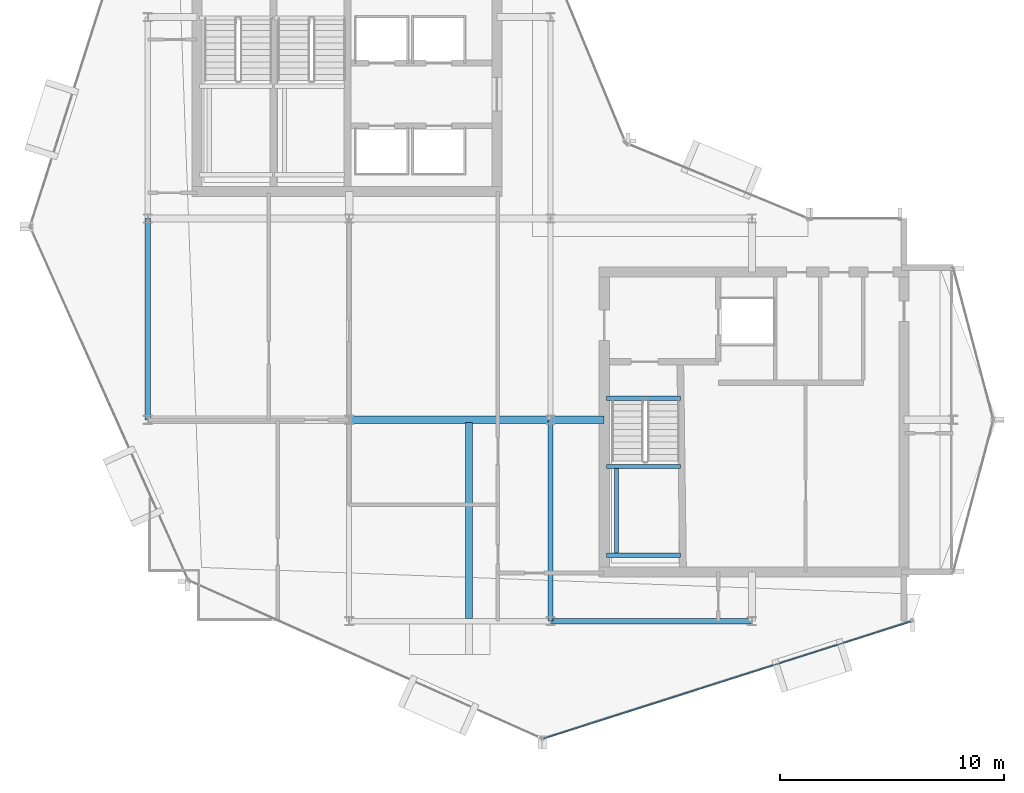
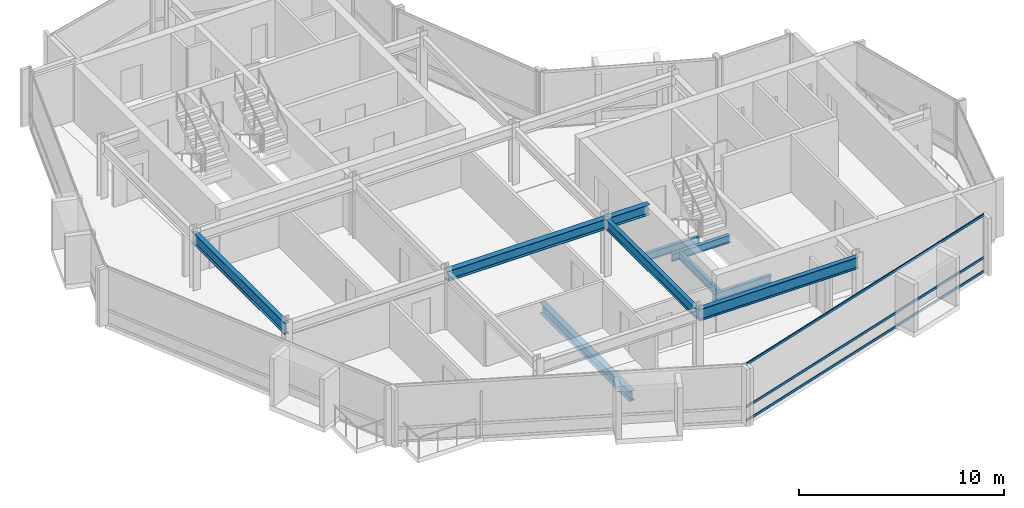
# One storey, part 5 of 19: 10 beams, 3 members, 1 element without a shape of its own.
"""IFC4 building model written with IfcOpenShell, lengths in metres."""

from ifc_helpers import new_model, si_unit, direction, frame, origin, origin_2d, place, context, subcontext, project, spatial, hollow_rectangle, i_section, extrude, material, layer, layer_set, material_profile, profile_set, type_object, element, aggregate, save


model = new_model("IFC4")

# Units and contexts
model_context = context("Model", 3, precision=1e-05, world=origin(), true_north=direction((0.0, 1.0)))
body_context = subcontext(model_context, "Body", "Model", "MODEL_VIEW")
ifc_project = project(units=[si_unit("LENGTHUNIT", "METRE"), si_unit("AREAUNIT", "SQUARE_METRE"), si_unit("VOLUMEUNIT", "CUBIC_METRE"), si_unit("PLANEANGLEUNIT", "RADIAN"), si_unit("MASSUNIT", "GRAM", prefix="KILO")], contexts=[model_context])

# Site, building, storey
site_placement = place(None, origin())
site = spatial("IfcSite", under=ifc_project, at=site_placement, CompositionType="ELEMENT")
building_placement = place(site_placement, origin())
building = spatial("IfcBuilding", under=site, at=building_placement, Name="Solvaryn Broadcast Tower", CompositionType="ELEMENT")
storey_placement = place(building_placement, frame((0.0, 0.0, 251.89990234375)))
storey = spatial("IfcBuildingStorey", under=building, at=storey_placement, Name="L63", CompositionType="ELEMENT", Elevation=251.89990234375)

# Beams
ifc_material_1 = material(Name="Steel ASTM A992 Grade 50", Category="steel")
ifc_material_profile_1 = material_profile(ifc_material_1, i_section(OverallWidth=0.323974609375, OverallDepth=0.611083984375, WebThickness=0.0126953125, FlangeThickness=0.01904296875, FilletRadius=0.014892578125, at=origin_2d()))
ifc_profile_set_1 = profile_set([ifc_material_profile_1], Name="Steel ASTM A992 Grade 50")
beam_type_1 = type_object("IfcBeamType", Name="BM-B1-W24X104", PredefinedType="BEAM", material=ifc_profile_set_1)
beam_1_placement = place(storey_placement, frame((23.35009765625, 17.875, -0.58544921875), z_axis=(0.0, -1.0, 0.0), x_axis=(1.0, 0.0, 0.0)))
element("IfcBeam", 1, at=beam_1_placement, inside=storey, type_object=beam_type_1, Name="L63 Bay-Box Back-Span Beam 1", PredefinedType="BEAM", context=body_context, shape_type="SweptSolid", body=[
    extrude(i_section(OverallWidth=0.323974609375, OverallDepth=0.611083984375, WebThickness=0.0126953125, FlangeThickness=0.01904296875, FilletRadius=0.014892578125, at=origin_2d()), origin(), (0.0, 0.0, 1.0), 8.75),
])
beam_2_placement = place(storey_placement, frame((18.0, 18.0, 3.114501953125), z_axis=(1.0, 0.0, 0.0), x_axis=(0.0, 1.0, 0.0)))
element("IfcBeam", 2, at=beam_2_placement, inside=storey, type_object=beam_type_1, Name="L63 Primary Beam X (18-27 @ Y=18)", PredefinedType="BEAM", context=body_context, shape_type="SweptSolid", body=[
    extrude(i_section(OverallWidth=0.323974609375, OverallDepth=0.611083984375, WebThickness=0.0126953125, FlangeThickness=0.01904296875, FilletRadius=0.014892578125, at=origin_2d()), origin(), (0.0, 0.0, 1.0), 9.0),
])
beam_3_placement = place(storey_placement, frame((27.0, 18.0, 3.114501953125), z_axis=(1.0, 0.0, 0.0), x_axis=(0.0, 1.0, 0.0)))
element("IfcBeam", 3, at=beam_3_placement, inside=storey, type_object=beam_type_1, Name="L63 Core Tie Beam CTE4", PredefinedType="BEAM", context=body_context, shape_type="SweptSolid", body=[
    extrude(i_section(OverallWidth=0.323974609375, OverallDepth=0.611083984375, WebThickness=0.0126953125, FlangeThickness=0.01904296875, FilletRadius=0.014892578125, at=origin_2d()), origin(), (0.0, 0.0, 1.0), 2.39990234375),
])
ifc_material_2 = material(Name="Steel ASTM A992 Grade 50", Category="steel")
ifc_material_profile_2 = material_profile(ifc_material_2, i_section(OverallWidth=0.22802734375, OverallDepth=0.60791015625, WebThickness=0.01123046875, FlangeThickness=0.017333984375, FilletRadius=0.014892578125, at=origin_2d()))
ifc_profile_set_2 = profile_set([ifc_material_profile_2], Name="Steel ASTM A992 Grade 50")
beam_type_2 = type_object("IfcBeamType", Name="BM-B2-W24X76", PredefinedType="BEAM", material=ifc_profile_set_2)
beam_4_placement = place(storey_placement, frame((27.0, 9.0, 3.1162109375), z_axis=(0.0, 1.0, 0.0), x_axis=(-1.0, 0.0, 0.0)))
element("IfcBeam", 4, at=beam_4_placement, inside=storey, type_object=beam_type_2, Name="L63 Primary Beam Y (9-18 @ X=27)", PredefinedType="BEAM", context=body_context, shape_type="SweptSolid", body=[
    extrude(i_section(OverallWidth=0.22802734375, OverallDepth=0.60791015625, WebThickness=0.01123046875, FlangeThickness=0.017333984375, FilletRadius=0.014892578125, at=origin_2d()), origin(), (0.0, 0.0, 1.0), 9.0),
])
ifc_material_3 = material(Name="Steel ASTM A992 Grade 50", Category="steel")
ifc_material_profile_3 = material_profile(ifc_material_3, i_section(OverallWidth=0.18994140625, OverallDepth=0.45703125, WebThickness=0.009033203125, FlangeThickness=0.014404296875, FilletRadius=0.011962890625, at=origin_2d()))
ifc_profile_set_3 = profile_set([ifc_material_profile_3], Name="Steel ASTM A992 Grade 50")
beam_type_3 = type_object("IfcBeamType", Name="BM-B4-W18X50", PredefinedType="BEAM", material=ifc_profile_set_3)
for number, where, z_axis, x_axis, name in (
    (5, (29.5, 18.9599609375, -0.50830078125), (1.0, 0.0, 0.0), (0.0, 1.0, 0.0), "L63 ST3 Stair Well Trimmer Beam"),
    (6, (29.5, 11.949951171875, 1.421630859375), (1.0, 0.0, 0.0), (0.0, 1.0, 0.0), "L63 ST3 Landing Support Beam 1A"),
    (7, (29.5, 15.909912109375, 1.421630859375), (1.0, 0.0, 0.0), (0.0, 1.0, 0.0), "L63 ST3 Landing Support Beam 1B"),
):
    element("IfcBeam", number, at=place(storey_placement, frame(where, z_axis=z_axis, x_axis=x_axis)), inside=storey, type_object=beam_type_3, Name=name, PredefinedType="BEAM", context=body_context, shape_type="SweptSolid", body=[
        extrude(i_section(OverallWidth=0.18994140625, OverallDepth=0.45703125, WebThickness=0.009033203125, FlangeThickness=0.014404296875, FilletRadius=0.011962890625, at=origin_2d()), origin(), (0.0, 0.0, 1.0), 3.320068359375),
    ])
beam_5_placement = place(storey_placement, frame((29.949951171875, 11.949951171875, 1.421630859375), z_axis=(0.0, 1.0, 0.0), x_axis=(-1.0, 0.0, 0.0)))
element("IfcBeam", 8, at=beam_5_placement, inside=storey, type_object=beam_type_3, Name="L63 ST3 Landing Cross Stringer 1C", PredefinedType="BEAM", context=body_context, shape_type="SweptSolid", body=[
    extrude(i_section(OverallWidth=0.18994140625, OverallDepth=0.45703125, WebThickness=0.009033203125, FlangeThickness=0.014404296875, FilletRadius=0.011962890625, at=origin_2d()), origin(), (0.0, 0.0, 1.0), 3.9599609375),
])
ifc_material_4 = material(Name="Steel ASTM A992 Grade 50", Category="steel")
ifc_material_profile_4 = material_profile(ifc_material_4, i_section(OverallWidth=0.256103515625, OverallDepth=0.693115234375, WebThickness=0.014404296875, FlangeThickness=0.023681640625, FilletRadius=0.01611328125, at=origin_2d()))
ifc_profile_set_4 = profile_set([ifc_material_profile_4], Name="Steel ASTM A992 Grade 50")
beam_type_4 = type_object("IfcBeamType", Name="BM-SP3-W27X114", PredefinedType="USERDEFINED", material=ifc_profile_set_4)
for number, where, z_axis, x_axis, name in (
    (9, (27.0, 9.0, 3.073486328125), (1.0, 0.0, 0.0), (0.0, 1.0, 0.0), "L63 Spandrel Beam X (27-36 @ Y=9)"),
    (10, (9.0, 18.0, 3.073486328125), (0.0, 1.0, 0.0), (-1.0, 0.0, 0.0), "L63 Spandrel Beam Y (18-27 @ X=9)"),
):
    element("IfcBeam", number, at=place(storey_placement, frame(where, z_axis=z_axis, x_axis=x_axis)), inside=storey, type_object=beam_type_4, Name=name, ObjectType="SPANDREL", PredefinedType="USERDEFINED", context=body_context, shape_type="SweptSolid", body=[
        extrude(i_section(OverallWidth=0.256103515625, OverallDepth=0.693115234375, WebThickness=0.014404296875, FlangeThickness=0.023681640625, FilletRadius=0.01611328125, at=origin_2d()), origin(), (0.0, 0.0, 1.0), 9.0),
    ])

# Curtain wall, members
ifc_material_5 = material(Name="Aluminium and Terracotta Unitised Curtain Wall", Category="masonry")
ifc_layer = layer(ifc_material_5, 0.199951171875)
ifc_layer_set = layer_set([ifc_layer], Name="CW-SYS2-LOWMID")
curtain_wall_type = type_object("IfcCurtainWallType", Name="CW-SYS2-LOWMID", PredefinedType="NOTDEFINED", material=ifc_layer_set)
curtain_wall_placement = place(storey_placement, origin())
curtain_wall = element("IfcCurtainWall", 11, at=curtain_wall_placement, inside=storey, type_object=curtain_wall_type, Name="L63 Curtain Wall DR4", PredefinedType="NOTDEFINED")
ifc_material_6 = material(Name="Anodised Aluminium 6063-T6", Category="aluminium")
ifc_material_profile_5 = material_profile(ifc_material_6, hollow_rectangle(XDim=0.06494140625, YDim=0.14990234375, WallThickness=0.00390625, InnerFilletRadius=0.00390625, OuterFilletRadius=0.008056640625, at=origin_2d()))
ifc_profile_set_5 = profile_set([ifc_material_profile_5], Name="Anodised Aluminium 6063-T6")
member_type = type_object("IfcMemberType", Name="CW-TRN-150", PredefinedType="USERDEFINED", material=ifc_profile_set_5)
member_1_placement = place(storey_placement, frame((26.693115234375, 3.756103515625, 0.030029296875), z_axis=(0.952794352661, 0.303616405252, 0.0), x_axis=(-0.303616405252, 0.952794352661, 0.0)))
member_1 = element("IfcMember", 12, at=member_1_placement, type_object=member_type, Name="CWS2 transom 1.1", ObjectType="TRANSOM", PredefinedType="USERDEFINED", context=body_context, shape_type="SweptSolid", body=[
    extrude(hollow_rectangle(XDim=0.06494140625, YDim=0.14990234375, WallThickness=0.00390625, InnerFilletRadius=0.00390625, OuterFilletRadius=0.008056640625, at=origin_2d()), origin(), (0.0, 0.0, 1.0), 17.211181640625),
])
member_2_placement = place(storey_placement, frame((26.693115234375, 3.756103515625, 0.85009765625), z_axis=(0.952794352661, 0.303616405252, 0.0), x_axis=(-0.303616405252, 0.952794352661, 0.0)))
member_2 = element("IfcMember", 13, at=member_2_placement, type_object=member_type, Name="CWS2 transom 1.2", ObjectType="TRANSOM", PredefinedType="USERDEFINED", context=body_context, shape_type="SweptSolid", body=[
    extrude(hollow_rectangle(XDim=0.06494140625, YDim=0.14990234375, WallThickness=0.00390625, InnerFilletRadius=0.00390625, OuterFilletRadius=0.008056640625, at=origin_2d()), origin(), (0.0, 0.0, 1.0), 17.211181640625),
])
member_3_placement = place(storey_placement, frame((26.693115234375, 3.756103515625, 3.39013671875), z_axis=(0.952794352661, 0.303616405252, 0.0), x_axis=(-0.303616405252, 0.952794352661, 0.0)))
member_3 = element("IfcMember", 14, at=member_3_placement, type_object=member_type, Name="CWS2 transom 1.3", ObjectType="TRANSOM", PredefinedType="USERDEFINED", context=body_context, shape_type="SweptSolid", body=[
    extrude(hollow_rectangle(XDim=0.06494140625, YDim=0.14990234375, WallThickness=0.00390625, InnerFilletRadius=0.00390625, OuterFilletRadius=0.008056640625, at=origin_2d()), origin(), (0.0, 0.0, 1.0), 17.211181640625),
])
aggregate(curtain_wall, [member_1, member_2, member_3])

save(model, "model.ifc")
